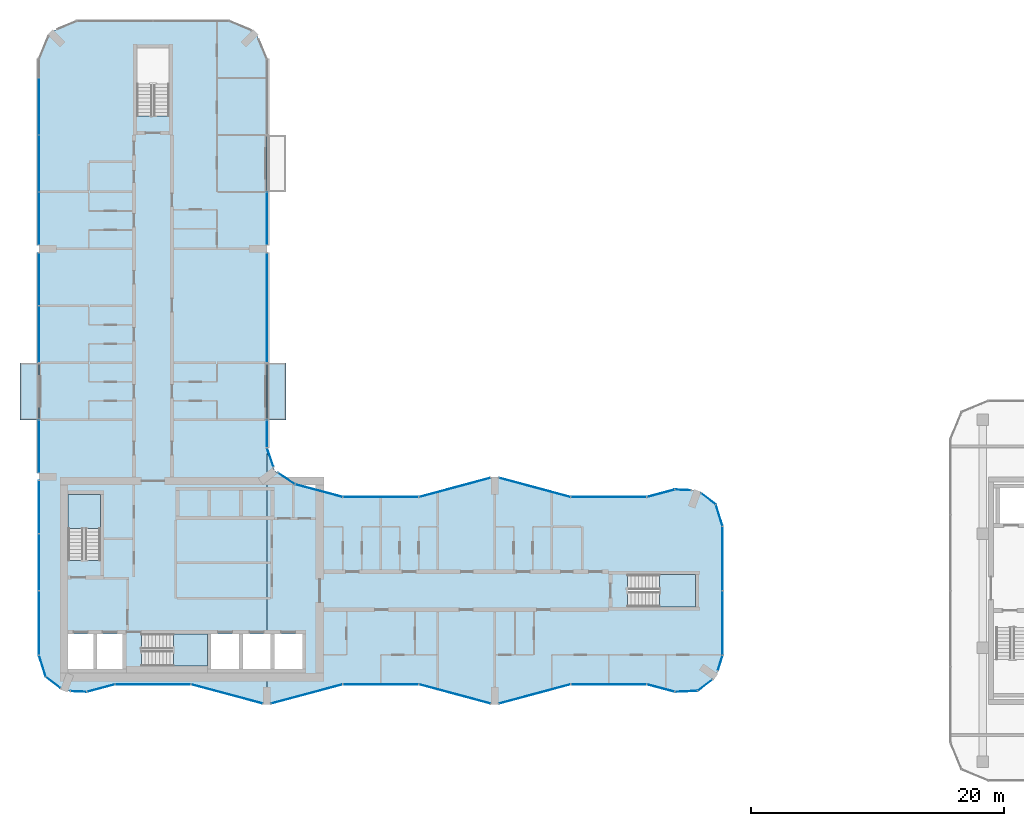
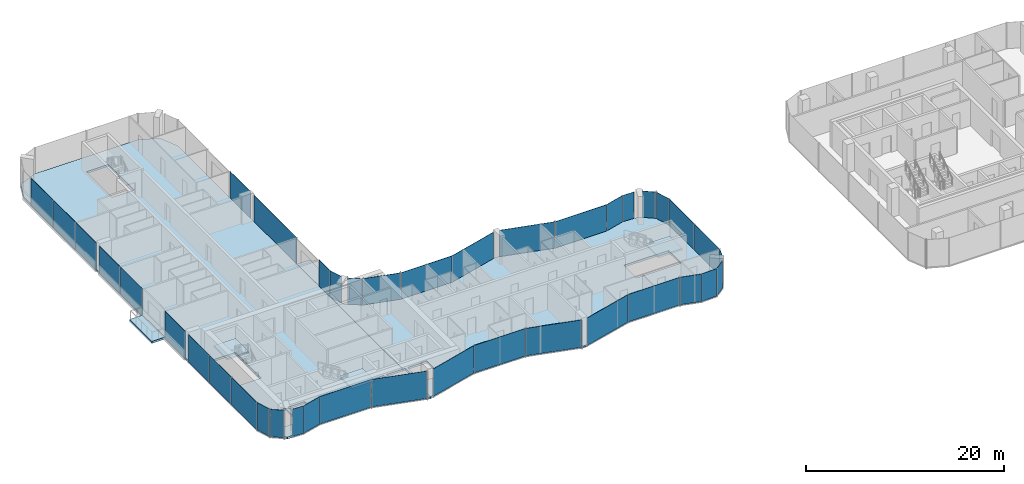
# One storey, part 11 of 22: 40 plates, 7 slabs, 37 elements without a shape of their own.
"""IFC4 building model written with IfcOpenShell, lengths in metres."""

from ifc_helpers import new_model, si_unit, direction, frame, origin, origin_2d, place, context, subcontext, project, spatial, polyline, rectangle, outline, extrude, material, layer, layer_set, type_object, element, aggregate, save


model = new_model("IFC4")

# Units and contexts
model_context = context("Model", 3, precision=1e-05, world=origin(), true_north=direction((0.0, 1.0)))
body_context = subcontext(model_context, "Body", "Model", "MODEL_VIEW")
ifc_project = project(units=[si_unit("LENGTHUNIT", "METRE"), si_unit("AREAUNIT", "SQUARE_METRE"), si_unit("VOLUMEUNIT", "CUBIC_METRE"), si_unit("PLANEANGLEUNIT", "RADIAN"), si_unit("MASSUNIT", "GRAM", prefix="KILO")], contexts=[model_context])

# Site, building, storey
site_placement = place(None, origin())
site = spatial("IfcSite", under=ifc_project, at=site_placement, CompositionType="ELEMENT")
building_placement = place(site_placement, origin())
building = spatial("IfcBuilding", under=site, at=building_placement, Name="Plateau Cross Towers", CompositionType="ELEMENT")
storey_placement = place(building_placement, frame((0.0, 0.0, 99.300048828125)))
storey = spatial("IfcBuildingStorey", under=building, at=storey_placement, Name="L25", CompositionType="ELEMENT", Elevation=99.300048828125)

# Slabs
ifc_material_1 = material(Name="Concrete C40/50", Category="concrete")
ifc_layer_1 = layer(ifc_material_1, 0.25)
ifc_layer_set_1 = layer_set([ifc_layer_1], Name="Concrete C40/50")
slab_type_1 = type_object("IfcSlabType", Name="Balcony slab 250", PredefinedType="FLOOR", material=ifc_layer_set_1)
slab_1_placement = place(storey_placement, frame((0.0, 0.0, -0.25)))
element("IfcSlab", 1, at=slab_1_placement, inside=storey, type_object=slab_type_1, Name="Balcony slab A-BAL-L25-01", PredefinedType="FLOOR", context=body_context, shape_type="SweptSolid", body=[
    extrude(outline(polyline([(0.0, 22.5), (0.0, 27.0), (-1.5, 27.0), (-1.5, 22.5), (0.0, 22.5)])), origin(), (0.0, 0.0, 1.0), 0.25),
])
slab_2_placement = place(storey_placement, frame((0.0, 0.0, -0.25)))
element("IfcSlab", 2, at=slab_2_placement, inside=storey, type_object=slab_type_1, Name="Balcony slab A-BAL-L25-02", PredefinedType="FLOOR", context=body_context, shape_type="SweptSolid", body=[
    extrude(outline(polyline([(19.5, 22.5), (19.5, 27.0), (18.0, 27.0), (18.0, 22.5), (19.5, 22.5)])), origin(), (0.0, 0.0, 1.0), 0.25),
])

# Curtain wall, plate
ifc_material_2 = material(Name="Dark low-iron glass", Category="glass")
ifc_layer_2 = layer(ifc_material_2, 0.239990234375)
ifc_layer_set_2 = layer_set([ifc_layer_2], Name="Dark low-iron glass")
curtain_wall_type_1 = type_object("IfcCurtainWallType", Name="Curtain wall flush unitised CW-B", PredefinedType="NOTDEFINED", material=ifc_layer_set_2)
curtain_wall_1_placement = place(storey_placement, origin())
curtain_wall_1 = element("IfcCurtainWall", 3, at=curtain_wall_1_placement, inside=storey, type_object=curtain_wall_type_1, Name="ENV/A/L25/A502_10", PredefinedType="NOTDEFINED")
ifc_layer_3 = layer(ifc_material_2, 0.031982421875)
ifc_layer_set_3 = layer_set([ifc_layer_3], Name="Dark low-iron glass")
plate_type_1 = type_object("IfcPlateType", Name="Glass panel 32 flush unitised", PredefinedType="CURTAIN_PANEL", material=ifc_layer_set_3)
plate_1_placement = place(storey_placement, frame((51.125, 1.05078125, -0.1298828125), z_axis=(0.0, 0.0, 1.0), x_axis=(0.999043701491, 0.043722791671, 0.0)))
plate_1 = element("IfcPlate", 4, at=plate_1_placement, type_object=plate_type_1, Name="CW-B panel 1", PredefinedType="CURTAIN_PANEL", context=body_context, shape_type="SweptSolid", body=[
    extrude(rectangle(XDim=1.744140625, YDim=0.031982421875, at=origin_2d()), origin(), (0.0, 0.0, 1.0), 3.3798828125),
])
aggregate(curtain_wall_1, [plate_1])

curtain_wall_2_placement = place(storey_placement, origin())
curtain_wall_2 = element("IfcCurtainWall", 5, at=curtain_wall_2_placement, inside=storey, type_object=curtain_wall_type_1, Name="ENV/A/L25/A520_11", PredefinedType="NOTDEFINED")
plate_2_placement = place(storey_placement, frame((52.60986328125, 1.5380859375, -0.1298828125), z_axis=(0.0, 0.0, 1.0), x_axis=(0.793315514529, 0.608810721331, 0.0)))
plate_2 = element("IfcPlate", 6, at=plate_2_placement, type_object=plate_type_1, Name="CW-B panel 1", PredefinedType="CURTAIN_PANEL", context=body_context, shape_type="SweptSolid", body=[
    extrude(rectangle(XDim=1.41162109375, YDim=0.031982421875, at=origin_2d()), origin(), (0.0, 0.0, 1.0), 3.3798828125),
])
aggregate(curtain_wall_2, [plate_2])

curtain_wall_3_placement = place(storey_placement, origin())
curtain_wall_3 = element("IfcCurtainWall", 7, at=curtain_wall_3_placement, inside=storey, type_object=curtain_wall_type_1, Name="ENV/A/L25/A536_27", PredefinedType="NOTDEFINED")
plate_3_placement = place(storey_placement, frame((53.805419921875, 3.292236328125, -0.1298828125), z_axis=(0.0, 0.0, 1.0), x_axis=(0.300686174994, 0.95372313811, 0.0)))
plate_3 = element("IfcPlate", 8, at=plate_3_placement, type_object=plate_type_1, Name="CW-B panel 1", PredefinedType="CURTAIN_PANEL", context=body_context, shape_type="SweptSolid", body=[
    extrude(rectangle(XDim=1.233642578125, YDim=0.031982421875, at=origin_2d()), origin(), (0.0, 0.0, 1.0), 3.3798828125),
])
aggregate(curtain_wall_3, [plate_3])

# Curtain wall, plates
curtain_wall_4_placement = place(storey_placement, origin())
curtain_wall_4 = element("IfcCurtainWall", 9, at=curtain_wall_4_placement, inside=storey, type_object=curtain_wall_type_1, Name="ENV/A/L25/A540_39", PredefinedType="NOTDEFINED")
plate_4_placement = place(storey_placement, frame((54.0, 6.45458984375, -0.1298828125), z_axis=(0.0, 0.0, 1.0), x_axis=(0.0, 1.0, 0.0)))
plate_4 = element("IfcPlate", 10, at=plate_4_placement, type_object=plate_type_1, Name="CW-B panel 1", PredefinedType="CURTAIN_PANEL", context=body_context, shape_type="SweptSolid", body=[
    extrude(rectangle(XDim=5.03076171875, YDim=0.031982421875, at=origin_2d()), origin(), (0.0, 0.0, 1.0), 3.3798828125),
])
plate_5_placement = place(storey_placement, frame((54.0, 11.54541015625, -0.1298828125), z_axis=(0.0, 0.0, 1.0), x_axis=(0.0, 1.0, 0.0)))
plate_5 = element("IfcPlate", 11, at=plate_5_placement, type_object=plate_type_1, Name="CW-B panel 2", PredefinedType="CURTAIN_PANEL", context=body_context, shape_type="SweptSolid", body=[
    extrude(rectangle(XDim=5.03076171875, YDim=0.031982421875, at=origin_2d()), origin(), (0.0, 0.0, 1.0), 3.3798828125),
])
aggregate(curtain_wall_4, [plate_4, plate_5])

# Curtain wall, plate
curtain_wall_5_placement = place(storey_placement, origin())
curtain_wall_5 = element("IfcCurtainWall", 12, at=curtain_wall_5_placement, inside=storey, type_object=curtain_wall_type_1, Name="ENV/A/L25/A540_141", PredefinedType="NOTDEFINED")
plate_6_placement = place(storey_placement, frame((53.728759765625, 14.951171875, -0.1298828125), z_axis=(0.0, 0.0, 1.0), x_axis=(-0.300686174994, 0.95372313811, 0.0)))
plate_6 = element("IfcPlate", 13, at=plate_6_placement, type_object=plate_type_1, Name="CW-B panel 1", PredefinedType="CURTAIN_PANEL", context=body_context, shape_type="SweptSolid", body=[
    extrude(rectangle(XDim=1.744140625, YDim=0.031982421875, at=origin_2d()), origin(), (0.0, 0.0, 1.0), 3.3798828125),
])
aggregate(curtain_wall_5, [plate_6])

curtain_wall_6_placement = place(storey_placement, origin())
curtain_wall_6 = element("IfcCurtainWall", 14, at=curtain_wall_6_placement, inside=storey, type_object=curtain_wall_type_1, Name="ENV/A/L25/A535_158", PredefinedType="NOTDEFINED")
plate_7_placement = place(storey_placement, frame((52.873779296875, 16.25927734375, -0.1298828125), z_axis=(0.0, 0.0, 1.0), x_axis=(-0.793315514529, 0.608810721331, 0.0)))
plate_7 = element("IfcPlate", 15, at=plate_7_placement, type_object=plate_type_1, Name="CW-B panel 1", PredefinedType="CURTAIN_PANEL", context=body_context, shape_type="SweptSolid", body=[
    extrude(rectangle(XDim=1.41162109375, YDim=0.031982421875, at=origin_2d()), origin(), (0.0, 0.0, 1.0), 3.3798828125),
])
aggregate(curtain_wall_6, [plate_7])

curtain_wall_7_placement = place(storey_placement, origin())
curtain_wall_7 = element("IfcCurtainWall", 16, at=curtain_wall_7_placement, inside=storey, type_object=curtain_wall_type_1, Name="ENV/A/L25/A515_169", PredefinedType="NOTDEFINED")
plate_8_placement = place(storey_placement, frame((50.8701171875, 16.96044921875, -0.1298828125), z_axis=(0.0, 0.0, 1.0), x_axis=(-0.999043701491, 0.043722791671, 0.0)))
plate_8 = element("IfcPlate", 17, at=plate_8_placement, type_object=plate_type_1, Name="CW-B panel 1", PredefinedType="CURTAIN_PANEL", context=body_context, shape_type="SweptSolid", body=[
    extrude(rectangle(XDim=1.233642578125, YDim=0.031982421875, at=origin_2d()), origin(), (0.0, 0.0, 1.0), 3.3798828125),
])
aggregate(curtain_wall_7, [plate_8])

curtain_wall_8_placement = place(storey_placement, origin())
curtain_wall_8 = element("IfcCurtainWall", 18, at=curtain_wall_8_placement, inside=storey, type_object=curtain_wall_type_1, Name="ENV/A/L25/A202_174", PredefinedType="NOTDEFINED")
plate_9_placement = place(storey_placement, frame((19.546630859375, 17.856689453125, -0.1298828125), z_axis=(0.0, 0.0, 1.0), x_axis=(-0.831521253329, 0.555492938984, 0.0)))
plate_9 = element("IfcPlate", 19, at=plate_9_placement, type_object=plate_type_1, Name="CW-B panel 1", PredefinedType="CURTAIN_PANEL", context=body_context, shape_type="SweptSolid", body=[
    extrude(rectangle(XDim=1.56884765625, YDim=0.031982421875, at=origin_2d()), origin(), (0.0, 0.0, 1.0), 3.3798828125),
])
aggregate(curtain_wall_8, [plate_9])

curtain_wall_9_placement = place(storey_placement, origin())
curtain_wall_9 = element("IfcCurtainWall", 20, at=curtain_wall_9_placement, inside=storey, type_object=curtain_wall_type_1, Name="ENV/A/L25/A185_188", PredefinedType="NOTDEFINED")
plate_10_placement = place(storey_placement, frame((18.26171875, 19.531005859375, -0.1298828125), z_axis=(0.0, 0.0, 1.0), x_axis=(-0.321469161574, 0.94692004845, 0.0)))
plate_10 = element("IfcPlate", 21, at=plate_10_placement, type_object=plate_type_1, Name="CW-B panel 1", PredefinedType="CURTAIN_PANEL", context=body_context, shape_type="SweptSolid", body=[
    extrude(rectangle(XDim=1.56884765625, YDim=0.031982421875, at=origin_2d()), origin(), (0.0, 0.0, 1.0), 3.3798828125),
])
aggregate(curtain_wall_9, [plate_10])

curtain_wall_10_placement = place(storey_placement, origin())
curtain_wall_10 = element("IfcCurtainWall", 22, at=curtain_wall_10_placement, inside=storey, type_object=curtain_wall_type_1, Name="ENV/A/L25/A180_203", PredefinedType="NOTDEFINED")
plate_11_placement = place(storey_placement, frame((18.0, 21.396240234375, -0.1298828125), z_axis=(0.0, 0.0, 1.0), x_axis=(0.0, 1.0, 0.0)))
plate_11 = element("IfcPlate", 23, at=plate_11_placement, type_object=plate_type_1, Name="CW-B panel 1", PredefinedType="CURTAIN_PANEL", context=body_context, shape_type="SweptSolid", body=[
    extrude(rectangle(XDim=2.127685546875, YDim=0.031982421875, at=origin_2d()), origin(), (0.0, 0.0, 1.0), 3.3798828125),
])
aggregate(curtain_wall_10, [plate_11])

curtain_wall_11_placement = place(storey_placement, origin())
curtain_wall_11 = element("IfcCurtainWall", 24, at=curtain_wall_11_placement, inside=storey, type_object=curtain_wall_type_1, Name="ENV/A/L25/A180_270", PredefinedType="NOTDEFINED")
plate_12_placement = place(storey_placement, frame((18.0, 31.35498046875, -0.1298828125), z_axis=(0.0, 0.0, 1.0), x_axis=(0.0, 1.0, 0.0)))
plate_12 = element("IfcPlate", 25, at=plate_12_placement, type_object=plate_type_1, Name="CW-B panel 1", PredefinedType="CURTAIN_PANEL", context=body_context, shape_type="SweptSolid", body=[
    extrude(rectangle(XDim=8.6298828125, YDim=0.031982421875, at=origin_2d()), origin(), (0.0, 0.0, 1.0), 3.3798828125),
])
aggregate(curtain_wall_11, [plate_12])

curtain_wall_12_placement = place(storey_placement, origin())
curtain_wall_12 = element("IfcCurtainWall", 26, at=curtain_wall_12_placement, inside=storey, type_object=curtain_wall_type_1, Name="ENV/A/L25/A180_363", PredefinedType="NOTDEFINED")
plate_13_placement = place(storey_placement, frame((18.0, 38.39501953125, -0.1298828125), z_axis=(0.0, 0.0, 1.0), x_axis=(0.0, 1.0, 0.0)))
plate_13 = element("IfcPlate", 27, at=plate_13_placement, type_object=plate_type_1, Name="CW-B panel 1", PredefinedType="CURTAIN_PANEL", context=body_context, shape_type="SweptSolid", body=[
    extrude(rectangle(XDim=4.1298828125, YDim=0.031982421875, at=origin_2d()), origin(), (0.0, 0.0, 1.0), 3.3798828125),
])
aggregate(curtain_wall_12, [plate_13])

# Curtain wall, plates
curtain_wall_13_placement = place(storey_placement, origin())
curtain_wall_13 = element("IfcCurtainWall", 28, at=curtain_wall_13_placement, inside=storey, type_object=curtain_wall_type_1, Name="ENV/A/L25/A0_510", PredefinedType="NOTDEFINED")
plate_14_placement = place(storey_placement, frame((0.0, 47.25, -0.1298828125), z_axis=(0.0, 0.0, 1.0), x_axis=(0.0, -1.0, 0.0)))
plate_14 = element("IfcPlate", 29, at=plate_14_placement, type_object=plate_type_1, Name="CW-B panel 2", PredefinedType="CURTAIN_PANEL", context=body_context, shape_type="SweptSolid", body=[
    extrude(rectangle(XDim=4.43994140625, YDim=0.031982421875, at=origin_2d()), origin(), (0.0, 0.0, 1.0), 3.3798828125),
])
plate_15_placement = place(storey_placement, frame((0.0, 42.75, -0.1298828125), z_axis=(0.0, 0.0, 1.0), x_axis=(0.0, -1.0, 0.0)))
plate_15 = element("IfcPlate", 30, at=plate_15_placement, type_object=plate_type_1, Name="CW-B panel 3", PredefinedType="CURTAIN_PANEL", context=body_context, shape_type="SweptSolid", body=[
    extrude(rectangle(XDim=4.43994140625, YDim=0.031982421875, at=origin_2d()), origin(), (0.0, 0.0, 1.0), 3.3798828125),
])
plate_16_placement = place(storey_placement, frame((0.0, 38.39990234375, -0.1298828125), z_axis=(0.0, 0.0, 1.0), x_axis=(0.0, -1.0, 0.0)))
plate_16 = element("IfcPlate", 31, at=plate_16_placement, type_object=plate_type_1, Name="CW-B panel 4", PredefinedType="CURTAIN_PANEL", context=body_context, shape_type="SweptSolid", body=[
    extrude(rectangle(XDim=4.139892578125, YDim=0.031982421875, at=origin_2d()), origin(), (0.0, 0.0, 1.0), 3.3798828125),
])
aggregate(curtain_wall_13, [plate_14, plate_15, plate_16])

curtain_wall_14_placement = place(storey_placement, origin())
curtain_wall_14 = element("IfcCurtainWall", 32, at=curtain_wall_14_placement, inside=storey, type_object=curtain_wall_type_1, Name="ENV/A/L25/A0_357", PredefinedType="NOTDEFINED")
plate_17_placement = place(storey_placement, frame((0.0, 33.60009765625, -0.1298828125), z_axis=(0.0, 0.0, 1.0), x_axis=(0.0, -1.0, 0.0)))
plate_17 = element("IfcPlate", 33, at=plate_17_placement, type_object=plate_type_1, Name="CW-B panel 1", PredefinedType="CURTAIN_PANEL", context=body_context, shape_type="SweptSolid", body=[
    extrude(rectangle(XDim=4.139892578125, YDim=0.031982421875, at=origin_2d()), origin(), (0.0, 0.0, 1.0), 3.3798828125),
])
plate_18_placement = place(storey_placement, frame((0.0, 29.2548828125, -0.1298828125), z_axis=(0.0, 0.0, 1.0), x_axis=(0.0, -1.0, 0.0)))
plate_18 = element("IfcPlate", 34, at=plate_18_placement, type_object=plate_type_1, Name="CW-B panel 2", PredefinedType="CURTAIN_PANEL", context=body_context, shape_type="SweptSolid", body=[
    extrude(rectangle(XDim=4.429931640625, YDim=0.031982421875, at=origin_2d()), origin(), (0.0, 0.0, 1.0), 3.3798828125),
])
aggregate(curtain_wall_14, [plate_17, plate_18])

# Curtain wall, plate
curtain_wall_15_placement = place(storey_placement, origin())
curtain_wall_15 = element("IfcCurtainWall", 35, at=curtain_wall_15_placement, inside=storey, type_object=curtain_wall_type_1, Name="ENV/A/L25/A0_225", PredefinedType="NOTDEFINED")
plate_19_placement = place(storey_placement, frame((0.0, 20.39501953125, -0.1298828125), z_axis=(0.0, 0.0, 1.0), x_axis=(0.0, -1.0, 0.0)))
plate_19 = element("IfcPlate", 36, at=plate_19_placement, type_object=plate_type_1, Name="CW-B panel 1", PredefinedType="CURTAIN_PANEL", context=body_context, shape_type="SweptSolid", body=[
    extrude(rectangle(XDim=4.1298828125, YDim=0.031982421875, at=origin_2d()), origin(), (0.0, 0.0, 1.0), 3.3798828125),
])
aggregate(curtain_wall_15, [plate_19])

# Curtain wall, plates
curtain_wall_16_placement = place(storey_placement, origin())
curtain_wall_16 = element("IfcCurtainWall", 37, at=curtain_wall_16_placement, inside=storey, type_object=curtain_wall_type_1, Name="ENV/A/L25/A0_177", PredefinedType="NOTDEFINED")
plate_20_placement = place(storey_placement, frame((0.0, 15.60009765625, -0.1298828125), z_axis=(0.0, 0.0, 1.0), x_axis=(0.0, -1.0, 0.0)))
plate_20 = element("IfcPlate", 38, at=plate_20_placement, type_object=plate_type_1, Name="CW-B panel 1", PredefinedType="CURTAIN_PANEL", context=body_context, shape_type="SweptSolid", body=[
    extrude(rectangle(XDim=4.139892578125, YDim=0.031982421875, at=origin_2d()), origin(), (0.0, 0.0, 1.0), 3.3798828125),
])
plate_21_placement = place(storey_placement, frame((0.0, 11.25, -0.1298828125), z_axis=(0.0, 0.0, 1.0), x_axis=(0.0, -1.0, 0.0)))
plate_21 = element("IfcPlate", 39, at=plate_21_placement, type_object=plate_type_1, Name="CW-B panel 2", PredefinedType="CURTAIN_PANEL", context=body_context, shape_type="SweptSolid", body=[
    extrude(rectangle(XDim=4.43994140625, YDim=0.031982421875, at=origin_2d()), origin(), (0.0, 0.0, 1.0), 3.3798828125),
])
plate_22_placement = place(storey_placement, frame((0.0, 6.45458984375, -0.1298828125), z_axis=(0.0, 0.0, 1.0), x_axis=(0.0, -1.0, 0.0)))
plate_22 = element("IfcPlate", 40, at=plate_22_placement, type_object=plate_type_1, Name="CW-B panel 3", PredefinedType="CURTAIN_PANEL", context=body_context, shape_type="SweptSolid", body=[
    extrude(rectangle(XDim=5.03076171875, YDim=0.031982421875, at=origin_2d()), origin(), (0.0, 0.0, 1.0), 3.3798828125),
])
aggregate(curtain_wall_16, [plate_20, plate_21, plate_22])

# Curtain wall, plate
curtain_wall_17_placement = place(storey_placement, origin())
curtain_wall_17 = element("IfcCurtainWall", 41, at=curtain_wall_17_placement, inside=storey, type_object=curtain_wall_type_1, Name="ENV/A/L25/A0_39", PredefinedType="NOTDEFINED")
plate_23_placement = place(storey_placement, frame((0.271240234375, 3.048828125, -0.1298828125), z_axis=(0.0, 0.0, 1.0), x_axis=(0.300686174994, -0.95372313811, 0.0)))
plate_23 = element("IfcPlate", 42, at=plate_23_placement, type_object=plate_type_1, Name="CW-B panel 1", PredefinedType="CURTAIN_PANEL", context=body_context, shape_type="SweptSolid", body=[
    extrude(rectangle(XDim=1.744140625, YDim=0.031982421875, at=origin_2d()), origin(), (0.0, 0.0, 1.0), 3.3798828125),
])
aggregate(curtain_wall_17, [plate_23])

curtain_wall_18_placement = place(storey_placement, origin())
curtain_wall_18 = element("IfcCurtainWall", 43, at=curtain_wall_18_placement, inside=storey, type_object=curtain_wall_type_1, Name="ENV/A/L25/A5_22", PredefinedType="NOTDEFINED")
plate_24_placement = place(storey_placement, frame((1.126220703125, 1.74072265625, -0.1298828125), z_axis=(0.0, 0.0, 1.0), x_axis=(0.793315514529, -0.608810721331, 0.0)))
plate_24 = element("IfcPlate", 44, at=plate_24_placement, type_object=plate_type_1, Name="CW-B panel 1", PredefinedType="CURTAIN_PANEL", context=body_context, shape_type="SweptSolid", body=[
    extrude(rectangle(XDim=1.41162109375, YDim=0.031982421875, at=origin_2d()), origin(), (0.0, 0.0, 1.0), 3.3798828125),
])
aggregate(curtain_wall_18, [plate_24])

curtain_wall_19_placement = place(storey_placement, origin())
curtain_wall_19 = element("IfcCurtainWall", 45, at=curtain_wall_19_placement, inside=storey, type_object=curtain_wall_type_1, Name="ENV/A/L25/A25_11", PredefinedType="NOTDEFINED")
plate_25_placement = place(storey_placement, frame((3.1298828125, 1.03955078125, -0.1298828125), z_axis=(0.0, 0.0, 1.0), x_axis=(0.999043701491, -0.043722791671, 0.0)))
plate_25 = element("IfcPlate", 46, at=plate_25_placement, type_object=plate_type_1, Name="CW-B panel 1", PredefinedType="CURTAIN_PANEL", context=body_context, shape_type="SweptSolid", body=[
    extrude(rectangle(XDim=1.233642578125, YDim=0.031982421875, at=origin_2d()), origin(), (0.0, 0.0, 1.0), 3.3798828125),
])
aggregate(curtain_wall_19, [plate_25])

ifc_layer_4 = layer(ifc_material_2, 0.260009765625)
ifc_layer_set_4 = layer_set([ifc_layer_4], Name="Dark low-iron glass")
curtain_wall_type_2 = type_object("IfcCurtainWallType", Name="Curtain wall fluted unitised CW-A", PredefinedType="NOTDEFINED", material=ifc_layer_set_4)
curtain_wall_20_placement = place(storey_placement, origin())
curtain_wall_20 = element("IfcCurtainWall", 47, at=curtain_wall_20_placement, inside=storey, type_object=curtain_wall_type_2, Name="ENV/A/L25/A38_10", PredefinedType="NOTDEFINED")
ifc_layer_5 = layer(ifc_material_2, 0.035888671875)
ifc_layer_set_5 = layer_set([ifc_layer_5], Name="Dark low-iron glass")
plate_type_2 = type_object("IfcPlateType", Name="Glass panel 36 fluted unitised", PredefinedType="CURTAIN_PANEL", material=ifc_layer_set_5)
plate_26_placement = place(storey_placement, frame((4.887939453125, 1.30908203125, -0.1298828125), z_axis=(0.0, 0.0, 1.0), x_axis=(0.965957962328, 0.258699081978, 0.0)))
plate_26 = element("IfcPlate", 48, at=plate_26_placement, type_object=plate_type_2, Name="CW-A panel 1", PredefinedType="CURTAIN_PANEL", context=body_context, shape_type="SweptSolid", body=[
    extrude(rectangle(XDim=2.2421875, YDim=0.035888671875, at=origin_2d()), origin(), (0.0, 0.0, 1.0), 3.3798828125),
])
aggregate(curtain_wall_20, [plate_26])

curtain_wall_21_placement = place(storey_placement, origin())
curtain_wall_21 = element("IfcCurtainWall", 49, at=curtain_wall_21_placement, inside=storey, type_object=curtain_wall_type_2, Name="ENV/A/L25/A60_16", PredefinedType="NOTDEFINED")
plate_27_placement = place(storey_placement, frame((9.0, 1.60693359375, -0.1298828125), z_axis=(0.0, 0.0, 1.0), x_axis=(1.0, 0.0, 0.0)))
plate_27 = element("IfcPlate", 50, at=plate_27_placement, type_object=plate_type_2, Name="CW-A panel 1", PredefinedType="CURTAIN_PANEL", context=body_context, shape_type="SweptSolid", body=[
    extrude(rectangle(XDim=5.93994140625, YDim=0.035888671875, at=origin_2d()), origin(), (0.0, 0.0, 1.0), 3.3798828125),
])
aggregate(curtain_wall_21, [plate_27])

curtain_wall_22_placement = place(storey_placement, origin())
curtain_wall_22 = element("IfcCurtainWall", 51, at=curtain_wall_22_placement, inside=storey, type_object=curtain_wall_type_2, Name="ENV/A/L25/A120_16", PredefinedType="NOTDEFINED")
plate_28_placement = place(storey_placement, frame((14.841064453125, 0.845947265625, -0.1298828125), z_axis=(0.0, 0.0, 1.0), x_axis=(0.965957983404, -0.258699003279, 0.0)))
plate_28 = element("IfcPlate", 52, at=plate_28_placement, type_object=plate_type_2, Name="CW-A panel 1", PredefinedType="CURTAIN_PANEL", context=body_context, shape_type="SweptSolid", body=[
    extrude(rectangle(XDim=5.822265625, YDim=0.035888671875, at=origin_2d()), origin(), (0.0, 0.0, 1.0), 3.3798828125),
])
aggregate(curtain_wall_22, [plate_28])

curtain_wall_23_placement = place(storey_placement, origin())
curtain_wall_23 = element("IfcCurtainWall", 53, at=curtain_wall_23_placement, inside=storey, type_object=curtain_wall_type_2, Name="ENV/A/L25/A183_1", PredefinedType="NOTDEFINED")
plate_29_placement = place(storey_placement, frame((21.158935546875, 0.845947265625, -0.1298828125), z_axis=(0.0, 0.0, 1.0), x_axis=(0.965957983404, 0.258699003279, 0.0)))
plate_29 = element("IfcPlate", 54, at=plate_29_placement, type_object=plate_type_2, Name="CW-A panel 1", PredefinedType="CURTAIN_PANEL", context=body_context, shape_type="SweptSolid", body=[
    extrude(rectangle(XDim=5.822265625, YDim=0.035888671875, at=origin_2d()), origin(), (0.0, 0.0, 1.0), 3.3798828125),
])
aggregate(curtain_wall_23, [plate_29])

curtain_wall_24_placement = place(storey_placement, origin())
curtain_wall_24 = element("IfcCurtainWall", 55, at=curtain_wall_24_placement, inside=storey, type_object=curtain_wall_type_2, Name="ENV/A/L25/A240_16", PredefinedType="NOTDEFINED")
plate_30_placement = place(storey_placement, frame((27.0, 1.60693359375, -0.1298828125), z_axis=(0.0, 0.0, 1.0), x_axis=(1.0, 0.0, 0.0)))
plate_30 = element("IfcPlate", 56, at=plate_30_placement, type_object=plate_type_2, Name="CW-A panel 1", PredefinedType="CURTAIN_PANEL", context=body_context, shape_type="SweptSolid", body=[
    extrude(rectangle(XDim=5.93994140625, YDim=0.035888671875, at=origin_2d()), origin(), (0.0, 0.0, 1.0), 3.3798828125),
])
aggregate(curtain_wall_24, [plate_30])

curtain_wall_25_placement = place(storey_placement, origin())
curtain_wall_25 = element("IfcCurtainWall", 57, at=curtain_wall_25_placement, inside=storey, type_object=curtain_wall_type_2, Name="ENV/A/L25/A300_16", PredefinedType="NOTDEFINED")
plate_31_placement = place(storey_placement, frame((32.841064453125, 0.845947265625, -0.1298828125), z_axis=(0.0, 0.0, 1.0), x_axis=(0.965957983404, -0.258699003279, 0.0)))
plate_31 = element("IfcPlate", 58, at=plate_31_placement, type_object=plate_type_2, Name="CW-A panel 1", PredefinedType="CURTAIN_PANEL", context=body_context, shape_type="SweptSolid", body=[
    extrude(rectangle(XDim=5.822265625, YDim=0.035888671875, at=origin_2d()), origin(), (0.0, 0.0, 1.0), 3.3798828125),
])
aggregate(curtain_wall_25, [plate_31])

curtain_wall_26_placement = place(storey_placement, origin())
curtain_wall_26 = element("IfcCurtainWall", 59, at=curtain_wall_26_placement, inside=storey, type_object=curtain_wall_type_2, Name="ENV/A/L25/A363_1", PredefinedType="NOTDEFINED")
plate_32_placement = place(storey_placement, frame((39.158935546875, 0.845947265625, -0.1298828125), z_axis=(0.0, 0.0, 1.0), x_axis=(0.965957983404, 0.258699003279, 0.0)))
plate_32 = element("IfcPlate", 60, at=plate_32_placement, type_object=plate_type_2, Name="CW-A panel 1", PredefinedType="CURTAIN_PANEL", context=body_context, shape_type="SweptSolid", body=[
    extrude(rectangle(XDim=5.822265625, YDim=0.035888671875, at=origin_2d()), origin(), (0.0, 0.0, 1.0), 3.3798828125),
])
aggregate(curtain_wall_26, [plate_32])

curtain_wall_27_placement = place(storey_placement, origin())
curtain_wall_27 = element("IfcCurtainWall", 61, at=curtain_wall_27_placement, inside=storey, type_object=curtain_wall_type_2, Name="ENV/A/L25/A420_16", PredefinedType="NOTDEFINED")
plate_33_placement = place(storey_placement, frame((45.0, 1.60693359375, -0.1298828125), z_axis=(0.0, 0.0, 1.0), x_axis=(1.0, 0.0, 0.0)))
plate_33 = element("IfcPlate", 62, at=plate_33_placement, type_object=plate_type_2, Name="CW-A panel 1", PredefinedType="CURTAIN_PANEL", context=body_context, shape_type="SweptSolid", body=[
    extrude(rectangle(XDim=5.93994140625, YDim=0.035888671875, at=origin_2d()), origin(), (0.0, 0.0, 1.0), 3.3798828125),
])
aggregate(curtain_wall_27, [plate_33])

curtain_wall_28_placement = place(storey_placement, origin())
curtain_wall_28 = element("IfcCurtainWall", 63, at=curtain_wall_28_placement, inside=storey, type_object=curtain_wall_type_2, Name="ENV/A/L25/A480_16", PredefinedType="NOTDEFINED")
plate_34_placement = place(storey_placement, frame((49.112060546875, 1.30908203125, -0.1298828125), z_axis=(0.0, 0.0, 1.0), x_axis=(0.965957962328, -0.258699081978, 0.0)))
plate_34 = element("IfcPlate", 64, at=plate_34_placement, type_object=plate_type_2, Name="CW-A panel 1", PredefinedType="CURTAIN_PANEL", context=body_context, shape_type="SweptSolid", body=[
    extrude(rectangle(XDim=2.2421875, YDim=0.035888671875, at=origin_2d()), origin(), (0.0, 0.0, 1.0), 3.3798828125),
])
aggregate(curtain_wall_28, [plate_34])

curtain_wall_29_placement = place(storey_placement, origin())
curtain_wall_29 = element("IfcCurtainWall", 65, at=curtain_wall_29_placement, inside=storey, type_object=curtain_wall_type_2, Name="ENV/A/L25/A502_170", PredefinedType="NOTDEFINED")
plate_35_placement = place(storey_placement, frame((49.112060546875, 16.69091796875, -0.1298828125), z_axis=(0.0, 0.0, 1.0), x_axis=(-0.965957962328, -0.258699081978, 0.0)))
plate_35 = element("IfcPlate", 66, at=plate_35_placement, type_object=plate_type_2, Name="CW-A panel 1", PredefinedType="CURTAIN_PANEL", context=body_context, shape_type="SweptSolid", body=[
    extrude(rectangle(XDim=2.2421875, YDim=0.035888671875, at=origin_2d()), origin(), (0.0, 0.0, 1.0), 3.3798828125),
])
aggregate(curtain_wall_29, [plate_35])

curtain_wall_30_placement = place(storey_placement, origin())
curtain_wall_30 = element("IfcCurtainWall", 67, at=curtain_wall_30_placement, inside=storey, type_object=curtain_wall_type_2, Name="ENV/A/L25/A480_164", PredefinedType="NOTDEFINED")
plate_36_placement = place(storey_placement, frame((45.0, 16.39306640625, -0.1298828125), z_axis=(0.0, 0.0, 1.0), x_axis=(-1.0, 0.0, 0.0)))
plate_36 = element("IfcPlate", 68, at=plate_36_placement, type_object=plate_type_2, Name="CW-A panel 1", PredefinedType="CURTAIN_PANEL", context=body_context, shape_type="SweptSolid", body=[
    extrude(rectangle(XDim=5.93994140625, YDim=0.035888671875, at=origin_2d()), origin(), (0.0, 0.0, 1.0), 3.3798828125),
])
aggregate(curtain_wall_30, [plate_36])

curtain_wall_31_placement = place(storey_placement, origin())
curtain_wall_31 = element("IfcCurtainWall", 69, at=curtain_wall_31_placement, inside=storey, type_object=curtain_wall_type_2, Name="ENV/A/L25/A420_164", PredefinedType="NOTDEFINED")
plate_37_placement = place(storey_placement, frame((39.158935546875, 17.154052734375, -0.1298828125), z_axis=(0.0, 0.0, 1.0), x_axis=(-0.965957983404, 0.258699003279, 0.0)))
plate_37 = element("IfcPlate", 70, at=plate_37_placement, type_object=plate_type_2, Name="CW-A panel 1", PredefinedType="CURTAIN_PANEL", context=body_context, shape_type="SweptSolid", body=[
    extrude(rectangle(XDim=5.822265625, YDim=0.035888671875, at=origin_2d()), origin(), (0.0, 0.0, 1.0), 3.3798828125),
])
aggregate(curtain_wall_31, [plate_37])

curtain_wall_32_placement = place(storey_placement, origin())
curtain_wall_32 = element("IfcCurtainWall", 71, at=curtain_wall_32_placement, inside=storey, type_object=curtain_wall_type_2, Name="ENV/A/L25/A357_179", PredefinedType="NOTDEFINED")
plate_38_placement = place(storey_placement, frame((32.841064453125, 17.154052734375, -0.1298828125), z_axis=(0.0, 0.0, 1.0), x_axis=(-0.965957983404, -0.258699003279, 0.0)))
plate_38 = element("IfcPlate", 72, at=plate_38_placement, type_object=plate_type_2, Name="CW-A panel 1", PredefinedType="CURTAIN_PANEL", context=body_context, shape_type="SweptSolid", body=[
    extrude(rectangle(XDim=5.822265625, YDim=0.035888671875, at=origin_2d()), origin(), (0.0, 0.0, 1.0), 3.3798828125),
])
aggregate(curtain_wall_32, [plate_38])

curtain_wall_33_placement = place(storey_placement, origin())
curtain_wall_33 = element("IfcCurtainWall", 73, at=curtain_wall_33_placement, inside=storey, type_object=curtain_wall_type_2, Name="ENV/A/L25/A300_164", PredefinedType="NOTDEFINED")
plate_39_placement = place(storey_placement, frame((27.0, 16.39306640625, -0.1298828125), z_axis=(0.0, 0.0, 1.0), x_axis=(-1.0, 0.0, 0.0)))
plate_39 = element("IfcPlate", 74, at=plate_39_placement, type_object=plate_type_2, Name="CW-A panel 1", PredefinedType="CURTAIN_PANEL", context=body_context, shape_type="SweptSolid", body=[
    extrude(rectangle(XDim=5.93994140625, YDim=0.035888671875, at=origin_2d()), origin(), (0.0, 0.0, 1.0), 3.3798828125),
])
aggregate(curtain_wall_33, [plate_39])

curtain_wall_34_placement = place(storey_placement, origin())
curtain_wall_34 = element("IfcCurtainWall", 75, at=curtain_wall_34_placement, inside=storey, type_object=curtain_wall_type_2, Name="ENV/A/L25/A240_164", PredefinedType="NOTDEFINED")
plate_40_placement = place(storey_placement, frame((22.112060546875, 16.898681640625, -0.1298828125), z_axis=(0.0, 0.0, 1.0), x_axis=(-0.965957995816, 0.258698956933, 0.0)))
plate_40 = element("IfcPlate", 76, at=plate_40_placement, type_object=plate_type_2, Name="CW-A panel 1", PredefinedType="CURTAIN_PANEL", context=body_context, shape_type="SweptSolid", body=[
    extrude(rectangle(XDim=3.84912109375, YDim=0.035888671875, at=origin_2d()), origin(), (0.0, 0.0, 1.0), 3.3798828125),
])
aggregate(curtain_wall_34, [plate_40])

# Slabs
ifc_layer_6 = layer(ifc_material_1, 0.25)
ifc_layer_set_6 = layer_set([ifc_layer_6], Name="Concrete C40/50")
slab_type_2 = type_object("IfcSlabType", Name="Post-tensioned flat plate slab 250", PredefinedType="FLOOR", material=ifc_layer_set_6)
slab_3_placement = place(storey_placement, frame((0.0, 0.0, -0.25)))
element("IfcSlab", 77, at=slab_3_placement, inside=storey, type_object=slab_type_2, Name="SL-A-L25 1", PredefinedType="FLOOR", context=body_context, shape_type="SweptSolid", body=[
    extrude(outline(polyline([(0.54248046875, 2.1884765625), (0.0, 3.9091796875), (0.0, 51.0), (0.878662109375, 53.121337890625), (3.0, 54.0), (15.0, 54.0), (17.121337890625, 53.121337890625), (18.0, 51.0), (18.0, 20.30224609375), (18.0, 5.60009765625), (16.10009765625, 5.60009765625), (16.10009765625, 2.800048828125), (18.0, 2.800048828125), (18.0, 0.0), (12.0, 1.60693359375), (6.0, 1.60693359375), (3.776123046875, 1.01123046875), (1.9736328125, 1.090087890625), (0.54248046875, 2.1884765625)]), holes=[polyline([(4.300048828125, 5.60009765625), (2.300048828125, 5.60009765625), (2.300048828125, 2.800048828125), (4.300048828125, 2.800048828125), (4.300048828125, 5.60009765625)]), polyline([(6.60009765625, 5.60009765625), (4.60009765625, 5.60009765625), (4.60009765625, 2.800048828125), (6.60009765625, 2.800048828125), (6.60009765625, 5.60009765625)]), polyline([(15.800048828125, 5.60009765625), (13.60009765625, 5.60009765625), (13.60009765625, 2.800048828125), (15.800048828125, 2.800048828125), (15.800048828125, 5.60009765625)]), polyline([(13.300048828125, 5.60009765625), (8.10009765625, 5.60009765625), (8.10009765625, 3.050048828125), (13.300048828125, 3.050048828125), (13.300048828125, 5.60009765625)]), polyline([(4.85009765625, 16.60009765625), (2.300048828125, 16.60009765625), (2.300048828125, 11.39990234375), (4.85009765625, 11.39990234375), (4.85009765625, 16.60009765625)]), polyline([(7.72509765625, 51.699951171875), (7.72509765625, 46.5), (10.27490234375, 46.5), (10.27490234375, 51.699951171875), (7.72509765625, 51.699951171875)])]), origin(), (0.0, 0.0, 1.0), 0.25),
])
slab_4_placement = place(storey_placement, frame((0.0, 0.0, -0.25)))
element("IfcSlab", 78, at=slab_4_placement, inside=storey, type_object=slab_type_2, Name="SL-A-L25 2", PredefinedType="FLOOR", context=body_context, shape_type="SweptSolid", body=[
    extrude(outline(polyline([(18.6201171875, 18.475830078125), (20.223876953125, 17.404296875), (24.0, 16.39306640625), (30.0, 16.39306640625), (36.0, 18.0), (42.0, 16.39306640625), (48.0, 16.39306640625), (50.223876953125, 16.98876953125), (52.0263671875, 16.909912109375), (53.45751953125, 15.8115234375), (54.0, 14.0908203125), (54.0, 3.9091796875), (53.45751953125, 2.1884765625), (52.0263671875, 1.090087890625), (50.223876953125, 1.01123046875), (48.0, 1.60693359375), (42.0, 1.60693359375), (36.0, 0.0), (30.0, 1.60693359375), (24.0, 1.60693359375), (18.0, 0.0), (18.0, 2.800048828125), (18.300048828125, 2.800048828125), (18.300048828125, 5.60009765625), (18.0, 5.60009765625), (18.0, 20.30224609375), (18.6201171875, 18.475830078125)]), holes=[polyline([(20.800048828125, 5.60009765625), (18.60009765625, 5.60009765625), (18.60009765625, 2.800048828125), (20.800048828125, 2.800048828125), (20.800048828125, 5.60009765625)]), polyline([(51.699951171875, 7.72509765625), (51.699951171875, 10.27490234375), (46.5, 10.27490234375), (46.5, 7.72509765625), (51.699951171875, 7.72509765625)])]), origin(), (0.0, 0.0, 1.0), 0.25),
])

# Stair, slab
stair_type = type_object("IfcStairType", Name="ST-TWR", PredefinedType="HALF_TURN_STAIR", material=ifc_material_1)
stair_1_placement = place(storey_placement, origin())
stair_1 = element("IfcStair", 79, at=stair_1_placement, inside=storey, type_object=stair_type, Name="L25 Protected Exit Stair ST-1", PredefinedType="HALF_TURN_STAIR")
ifc_layer_7 = layer(ifc_material_1, 0.199951171875)
ifc_layer_set_7 = layer_set([ifc_layer_7], Name="Concrete C40/50")
slab_type_3 = type_object("IfcSlabType", Name="SL-LANDING", PredefinedType="LANDING", material=ifc_layer_set_7)
slab_5_placement = place(storey_placement, frame((0.0, 0.0, 1.550048828125)))
slab_5 = element("IfcSlab", 80, at=slab_5_placement, type_object=slab_type_3, Name="ST-1 landing 1", PredefinedType="LANDING", context=body_context, shape_type="SweptSolid", body=[
    extrude(outline(polyline([(4.85009765625, 13.919921875), (4.85009765625, 16.60009765625), (2.300048828125, 16.60009765625), (2.300048828125, 13.919921875), (4.85009765625, 13.919921875)])), origin(), (0.0, 0.0, 1.0), 0.199951171875),
])
aggregate(stair_1, [slab_5])

stair_2_placement = place(storey_placement, origin())
stair_2 = element("IfcStair", 81, at=stair_2_placement, inside=storey, type_object=stair_type, Name="L25 Protected Exit Stair ST-2", PredefinedType="HALF_TURN_STAIR")
slab_6_placement = place(storey_placement, frame((0.0, 0.0, 1.550048828125)))
slab_6 = element("IfcSlab", 82, at=slab_6_placement, type_object=slab_type_3, Name="ST-2 landing 1", PredefinedType="LANDING", context=body_context, shape_type="SweptSolid", body=[
    extrude(outline(polyline([(10.6201171875, 3.050048828125), (13.300048828125, 3.050048828125), (13.300048828125, 5.60009765625), (10.6201171875, 5.60009765625), (10.6201171875, 3.050048828125)])), origin(), (0.0, 0.0, 1.0), 0.199951171875),
])
aggregate(stair_2, [slab_6])

stair_3_placement = place(storey_placement, origin())
stair_3 = element("IfcStair", 83, at=stair_3_placement, inside=storey, type_object=stair_type, Name="L25 Protected Exit Stair E", PredefinedType="HALF_TURN_STAIR")
slab_7_placement = place(storey_placement, frame((0.0, 0.0, 1.550048828125)))
slab_7 = element("IfcSlab", 84, at=slab_7_placement, type_object=slab_type_3, Name="ES-E landing 1", PredefinedType="LANDING", context=body_context, shape_type="SweptSolid", body=[
    extrude(outline(polyline([(49.02001953125, 7.72509765625), (51.85009765625, 7.72509765625), (51.85009765625, 10.27490234375), (49.02001953125, 10.27490234375), (49.02001953125, 7.72509765625)])), origin(), (0.0, 0.0, 1.0), 0.199951171875),
])
aggregate(stair_3, [slab_7])

save(model, "model.ifc")
